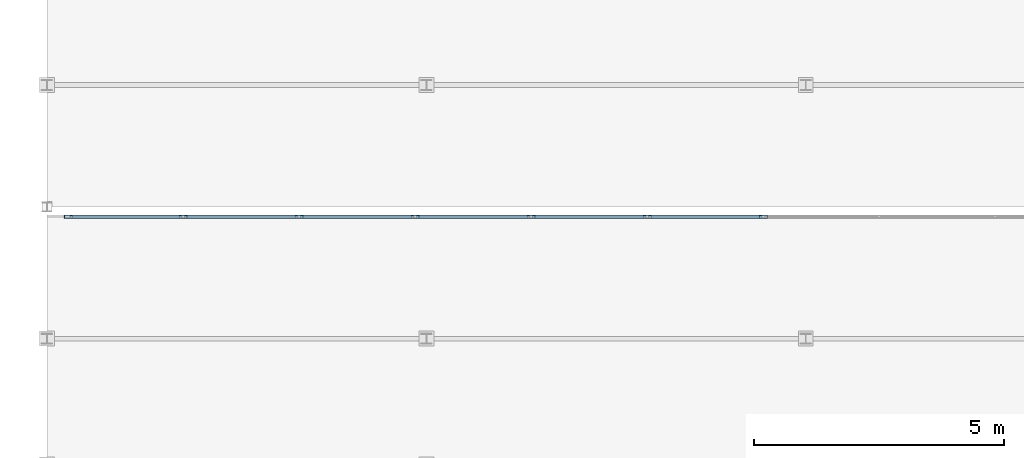
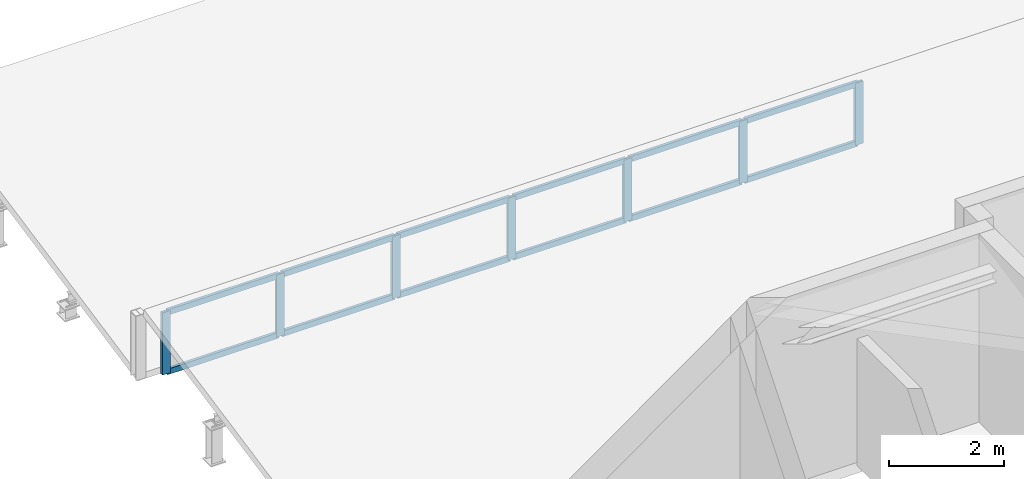
# One storey, part 19 of 114: 19 members, 1 element without a shape of its own.
"""IFC4 building model written with IfcOpenShell, lengths in metres."""

from ifc_helpers import new_model, si_unit, direction, frame, origin, origin_2d, place, context, subcontext, project, spatial, hollow_rectangle, extrude, material, layer, layer_set, material_profile, profile_set, type_object, element, aggregate, save


model = new_model("IFC4")

# Units and contexts
model_context = context("Model", 3, precision=1e-05, world=origin(), true_north=direction((0.0, 1.0)))
body_context = subcontext(model_context, "Body", "Model", "MODEL_VIEW")
ifc_project = project(units=[si_unit("LENGTHUNIT", "METRE"), si_unit("AREAUNIT", "SQUARE_METRE"), si_unit("VOLUMEUNIT", "CUBIC_METRE"), si_unit("PLANEANGLEUNIT", "RADIAN"), si_unit("MASSUNIT", "GRAM", prefix="KILO")], contexts=[model_context])

# Site, building, storey
site_placement = place(None, origin())
site = spatial("IfcSite", under=ifc_project, at=site_placement, CompositionType="ELEMENT")
building_placement = place(site_placement, origin())
building = spatial("IfcBuilding", under=site, at=building_placement, Name="Montecoro Central Library", CompositionType="ELEMENT")
storey_placement = place(building_placement, frame((0.0, 0.0, 13.260009765625)))
storey = spatial("IfcBuildingStorey", under=building, at=storey_placement, Name="L03", CompositionType="ELEMENT", Elevation=13.260009765625)

# Curtain wall, members
ifc_material_1 = material(Name="Bronze-anodised aluminium and low-E glazing", Category="aluminium")
ifc_layer = layer(ifc_material_1, 0.159912109375)
ifc_layer_set = layer_set([ifc_layer], Name="Bronze-anodised aluminium and low-E glazing")
curtain_wall_type = type_object("IfcCurtainWallType", Name="CWT-036", PredefinedType="NOTDEFINED", material=ifc_layer_set)
curtain_wall_placement = place(storey_placement, origin())
curtain_wall = element("IfcCurtainWall", 1, at=curtain_wall_placement, inside=storey, type_object=curtain_wall_type, Name="V3-ROOF-SAWCW-1", PredefinedType="NOTDEFINED")
ifc_material_2 = material(Name="Bronze-anodised aluminium", Category="aluminium")
ifc_material_profile_1 = material_profile(ifc_material_2, hollow_rectangle(XDim=0.06005859375, YDim=0.159912109375, WallThickness=0.00390625, at=origin_2d()), Name="CWM 160x60x4.0")
ifc_profile_set_1 = profile_set([ifc_material_profile_1], Name="Bronze-anodised aluminium")
member_type_1 = type_object("IfcMemberType", Name="CWM-BRZ-60", PredefinedType="MULLION", material=ifc_profile_set_1)
member_1_placement = place(storey_placement, frame((5.429931640625, 27.60009765625, 0.0), z_axis=(0.0, 0.0, 1.0), x_axis=(0.0, 1.0, 0.0)))
member_1 = element("IfcMember", 2, at=member_1_placement, type_object=member_type_1, Name="CW-036 mullion 1", PredefinedType="MULLION", context=body_context, shape_type="SweptSolid", body=[
    extrude(hollow_rectangle(XDim=0.06005859375, YDim=0.159912109375, WallThickness=0.00390625, at=origin_2d()), origin(), (0.0, 0.0, 1.0), 1.320068359375),
])
member_2_placement = place(storey_placement, frame((7.72509765625, 27.60009765625, 0.0), z_axis=(0.0, 0.0, 1.0), x_axis=(0.0, 1.0, 0.0)))
member_2 = element("IfcMember", 3, at=member_2_placement, type_object=member_type_1, Name="CW-036 mullion 2", PredefinedType="MULLION", context=body_context, shape_type="SweptSolid", body=[
    extrude(hollow_rectangle(XDim=0.06005859375, YDim=0.159912109375, WallThickness=0.00390625, at=origin_2d()), origin(), (0.0, 0.0, 1.0), 1.320068359375),
])
member_3_placement = place(storey_placement, frame((10.050048828125, 27.60009765625, 0.0), z_axis=(0.0, 0.0, 1.0), x_axis=(0.0, 1.0, 0.0)))
member_3 = element("IfcMember", 4, at=member_3_placement, type_object=member_type_1, Name="CW-036 mullion 3", PredefinedType="MULLION", context=body_context, shape_type="SweptSolid", body=[
    extrude(hollow_rectangle(XDim=0.06005859375, YDim=0.159912109375, WallThickness=0.00390625, at=origin_2d()), origin(), (0.0, 0.0, 1.0), 1.320068359375),
])
member_4_placement = place(storey_placement, frame((12.375, 27.60009765625, 0.0), z_axis=(0.0, 0.0, 1.0), x_axis=(0.0, 1.0, 0.0)))
member_4 = element("IfcMember", 5, at=member_4_placement, type_object=member_type_1, Name="CW-036 mullion 4", PredefinedType="MULLION", context=body_context, shape_type="SweptSolid", body=[
    extrude(hollow_rectangle(XDim=0.06005859375, YDim=0.159912109375, WallThickness=0.00390625, at=origin_2d()), origin(), (0.0, 0.0, 1.0), 1.320068359375),
])
member_5_placement = place(storey_placement, frame((14.699951171875, 27.60009765625, 0.0), z_axis=(0.0, 0.0, 1.0), x_axis=(0.0, 1.0, 0.0)))
member_5 = element("IfcMember", 6, at=member_5_placement, type_object=member_type_1, Name="CW-036 mullion 5", PredefinedType="MULLION", context=body_context, shape_type="SweptSolid", body=[
    extrude(hollow_rectangle(XDim=0.06005859375, YDim=0.159912109375, WallThickness=0.00390625, at=origin_2d()), origin(), (0.0, 0.0, 1.0), 1.320068359375),
])
member_6_placement = place(storey_placement, frame((17.02490234375, 27.60009765625, 0.0), z_axis=(0.0, 0.0, 1.0), x_axis=(0.0, 1.0, 0.0)))
member_6 = element("IfcMember", 7, at=member_6_placement, type_object=member_type_1, Name="CW-036 mullion 6", PredefinedType="MULLION", context=body_context, shape_type="SweptSolid", body=[
    extrude(hollow_rectangle(XDim=0.06005859375, YDim=0.159912109375, WallThickness=0.00390625, at=origin_2d()), origin(), (0.0, 0.0, 1.0), 1.320068359375),
])
member_7_placement = place(storey_placement, frame((19.35009765625, 27.60009765625, 0.0), z_axis=(0.0, 0.0, 1.0), x_axis=(0.0, 1.0, 0.0)))
member_7 = element("IfcMember", 8, at=member_7_placement, type_object=member_type_1, Name="CW-036 mullion 7", PredefinedType="MULLION", context=body_context, shape_type="SweptSolid", body=[
    extrude(hollow_rectangle(XDim=0.06005859375, YDim=0.159912109375, WallThickness=0.00390625, at=origin_2d()), origin(), (0.0, 0.0, 1.0), 1.320068359375),
])
ifc_material_profile_2 = material_profile(ifc_material_2, hollow_rectangle(XDim=0.06005859375, YDim=0.1201171875, WallThickness=0.00390625, at=origin_2d()), Name="CWT 120x60x4.0")
ifc_profile_set_2 = profile_set([ifc_material_profile_2], Name="Bronze-anodised aluminium")
member_type_2 = type_object("IfcMemberType", Name="CWT-BRZ-60", PredefinedType="USERDEFINED", material=ifc_profile_set_2)
member_8_placement = place(storey_placement, frame((5.4599609375, 27.60009765625, 0.030029296875), z_axis=(1.0, 0.0, 0.0), x_axis=(0.0, 1.0, 0.0)))
member_8 = element("IfcMember", 9, at=member_8_placement, type_object=member_type_2, Name="CW-036 transom 1.1", ObjectType="TRANSOM", PredefinedType="USERDEFINED", context=body_context, shape_type="SweptSolid", body=[
    extrude(hollow_rectangle(XDim=0.06005859375, YDim=0.1201171875, WallThickness=0.00390625, at=origin_2d()), origin(), (0.0, 0.0, 1.0), 2.235107421875),
])
member_9_placement = place(storey_placement, frame((5.4599609375, 27.60009765625, 1.2900390625), z_axis=(1.0, 0.0, 0.0), x_axis=(0.0, 1.0, 0.0)))
member_9 = element("IfcMember", 10, at=member_9_placement, type_object=member_type_2, Name="CW-036 transom 1.2", ObjectType="TRANSOM", PredefinedType="USERDEFINED", context=body_context, shape_type="SweptSolid", body=[
    extrude(hollow_rectangle(XDim=0.06005859375, YDim=0.1201171875, WallThickness=0.00390625, at=origin_2d()), origin(), (0.0, 0.0, 1.0), 2.235107421875),
])
member_10_placement = place(storey_placement, frame((7.7548828125, 27.60009765625, 0.030029296875), z_axis=(1.0, 0.0, 0.0), x_axis=(0.0, 1.0, 0.0)))
member_10 = element("IfcMember", 11, at=member_10_placement, type_object=member_type_2, Name="CW-036 transom 2.1", ObjectType="TRANSOM", PredefinedType="USERDEFINED", context=body_context, shape_type="SweptSolid", body=[
    extrude(hollow_rectangle(XDim=0.06005859375, YDim=0.1201171875, WallThickness=0.00390625, at=origin_2d()), origin(), (0.0, 0.0, 1.0), 2.26513671875),
])
member_11_placement = place(storey_placement, frame((7.7548828125, 27.60009765625, 1.2900390625), z_axis=(1.0, 0.0, 0.0), x_axis=(0.0, 1.0, 0.0)))
member_11 = element("IfcMember", 12, at=member_11_placement, type_object=member_type_2, Name="CW-036 transom 2.2", ObjectType="TRANSOM", PredefinedType="USERDEFINED", context=body_context, shape_type="SweptSolid", body=[
    extrude(hollow_rectangle(XDim=0.06005859375, YDim=0.1201171875, WallThickness=0.00390625, at=origin_2d()), origin(), (0.0, 0.0, 1.0), 2.26513671875),
])
member_12_placement = place(storey_placement, frame((10.080078125, 27.60009765625, 0.030029296875), z_axis=(1.0, 0.0, 0.0), x_axis=(0.0, 1.0, 0.0)))
member_12 = element("IfcMember", 13, at=member_12_placement, type_object=member_type_2, Name="CW-036 transom 3.1", ObjectType="TRANSOM", PredefinedType="USERDEFINED", context=body_context, shape_type="SweptSolid", body=[
    extrude(hollow_rectangle(XDim=0.06005859375, YDim=0.1201171875, WallThickness=0.00390625, at=origin_2d()), origin(), (0.0, 0.0, 1.0), 2.264892578125),
])
member_13_placement = place(storey_placement, frame((10.080078125, 27.60009765625, 1.2900390625), z_axis=(1.0, 0.0, 0.0), x_axis=(0.0, 1.0, 0.0)))
member_13 = element("IfcMember", 14, at=member_13_placement, type_object=member_type_2, Name="CW-036 transom 3.2", ObjectType="TRANSOM", PredefinedType="USERDEFINED", context=body_context, shape_type="SweptSolid", body=[
    extrude(hollow_rectangle(XDim=0.06005859375, YDim=0.1201171875, WallThickness=0.00390625, at=origin_2d()), origin(), (0.0, 0.0, 1.0), 2.264892578125),
])
member_14_placement = place(storey_placement, frame((12.405029296875, 27.60009765625, 0.030029296875), z_axis=(1.0, 0.0, 0.0), x_axis=(0.0, 1.0, 0.0)))
member_14 = element("IfcMember", 15, at=member_14_placement, type_object=member_type_2, Name="CW-036 transom 4.1", ObjectType="TRANSOM", PredefinedType="USERDEFINED", context=body_context, shape_type="SweptSolid", body=[
    extrude(hollow_rectangle(XDim=0.06005859375, YDim=0.1201171875, WallThickness=0.00390625, at=origin_2d()), origin(), (0.0, 0.0, 1.0), 2.264892578125),
])
member_15_placement = place(storey_placement, frame((12.405029296875, 27.60009765625, 1.2900390625), z_axis=(1.0, 0.0, 0.0), x_axis=(0.0, 1.0, 0.0)))
member_15 = element("IfcMember", 16, at=member_15_placement, type_object=member_type_2, Name="CW-036 transom 4.2", ObjectType="TRANSOM", PredefinedType="USERDEFINED", context=body_context, shape_type="SweptSolid", body=[
    extrude(hollow_rectangle(XDim=0.06005859375, YDim=0.1201171875, WallThickness=0.00390625, at=origin_2d()), origin(), (0.0, 0.0, 1.0), 2.264892578125),
])
member_16_placement = place(storey_placement, frame((14.72998046875, 27.60009765625, 0.030029296875), z_axis=(1.0, 0.0, 0.0), x_axis=(0.0, 1.0, 0.0)))
member_16 = element("IfcMember", 17, at=member_16_placement, type_object=member_type_2, Name="CW-036 transom 5.1", ObjectType="TRANSOM", PredefinedType="USERDEFINED", context=body_context, shape_type="SweptSolid", body=[
    extrude(hollow_rectangle(XDim=0.06005859375, YDim=0.1201171875, WallThickness=0.00390625, at=origin_2d()), origin(), (0.0, 0.0, 1.0), 2.26513671875),
])
member_17_placement = place(storey_placement, frame((14.72998046875, 27.60009765625, 1.2900390625), z_axis=(1.0, 0.0, 0.0), x_axis=(0.0, 1.0, 0.0)))
member_17 = element("IfcMember", 18, at=member_17_placement, type_object=member_type_2, Name="CW-036 transom 5.2", ObjectType="TRANSOM", PredefinedType="USERDEFINED", context=body_context, shape_type="SweptSolid", body=[
    extrude(hollow_rectangle(XDim=0.06005859375, YDim=0.1201171875, WallThickness=0.00390625, at=origin_2d()), origin(), (0.0, 0.0, 1.0), 2.26513671875),
])
member_18_placement = place(storey_placement, frame((17.054931640625, 27.60009765625, 0.030029296875), z_axis=(1.0, 0.0, 0.0), x_axis=(0.0, 1.0, 0.0)))
member_18 = element("IfcMember", 19, at=member_18_placement, type_object=member_type_2, Name="CW-036 transom 6.1", ObjectType="TRANSOM", PredefinedType="USERDEFINED", context=body_context, shape_type="SweptSolid", body=[
    extrude(hollow_rectangle(XDim=0.06005859375, YDim=0.1201171875, WallThickness=0.00390625, at=origin_2d()), origin(), (0.0, 0.0, 1.0), 2.26513671875),
])
member_19_placement = place(storey_placement, frame((17.054931640625, 27.60009765625, 1.2900390625), z_axis=(1.0, 0.0, 0.0), x_axis=(0.0, 1.0, 0.0)))
member_19 = element("IfcMember", 20, at=member_19_placement, type_object=member_type_2, Name="CW-036 transom 6.2", ObjectType="TRANSOM", PredefinedType="USERDEFINED", context=body_context, shape_type="SweptSolid", body=[
    extrude(hollow_rectangle(XDim=0.06005859375, YDim=0.1201171875, WallThickness=0.00390625, at=origin_2d()), origin(), (0.0, 0.0, 1.0), 2.26513671875),
])
aggregate(curtain_wall, [member_1, member_2, member_3, member_4, member_5, member_6, member_7, member_8, member_9, member_10, member_11, member_12, member_13, member_14, member_15, member_16, member_17, member_18, member_19])

save(model, "model.ifc")
